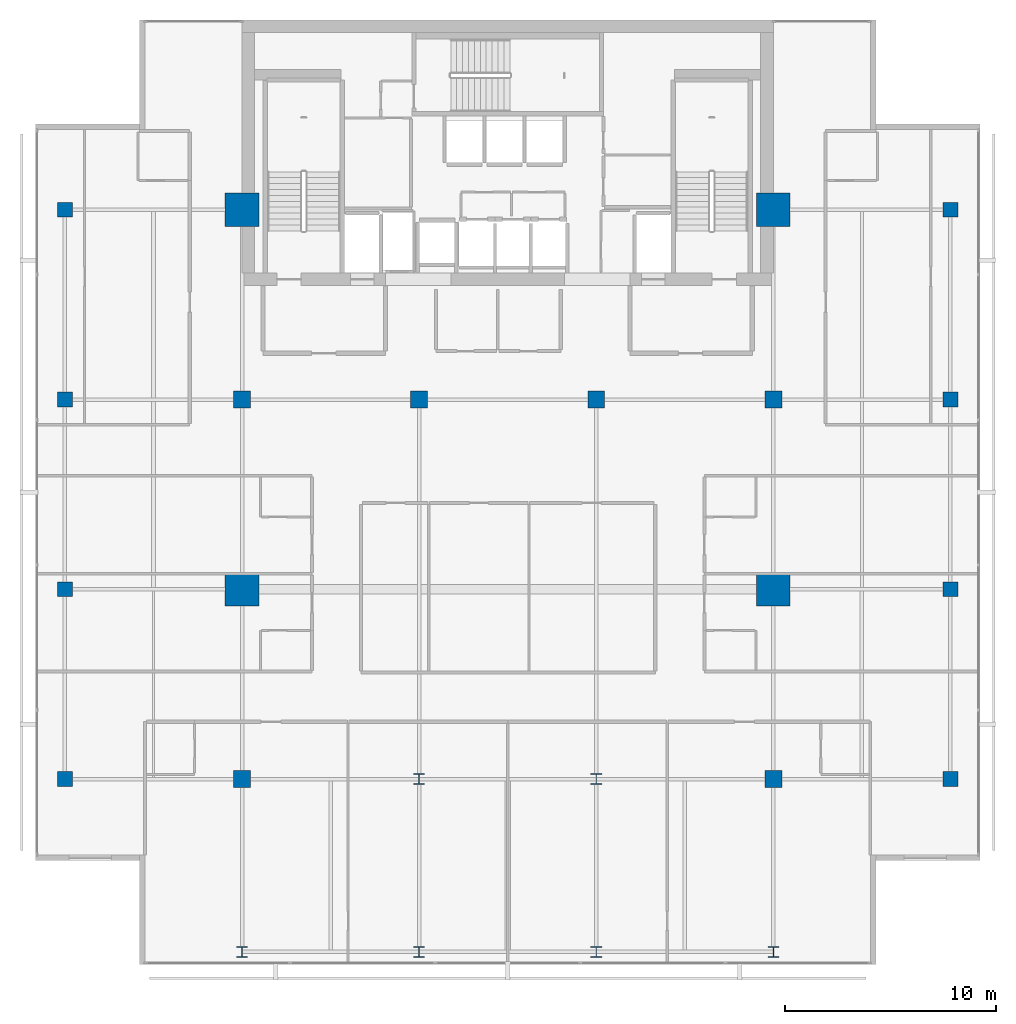
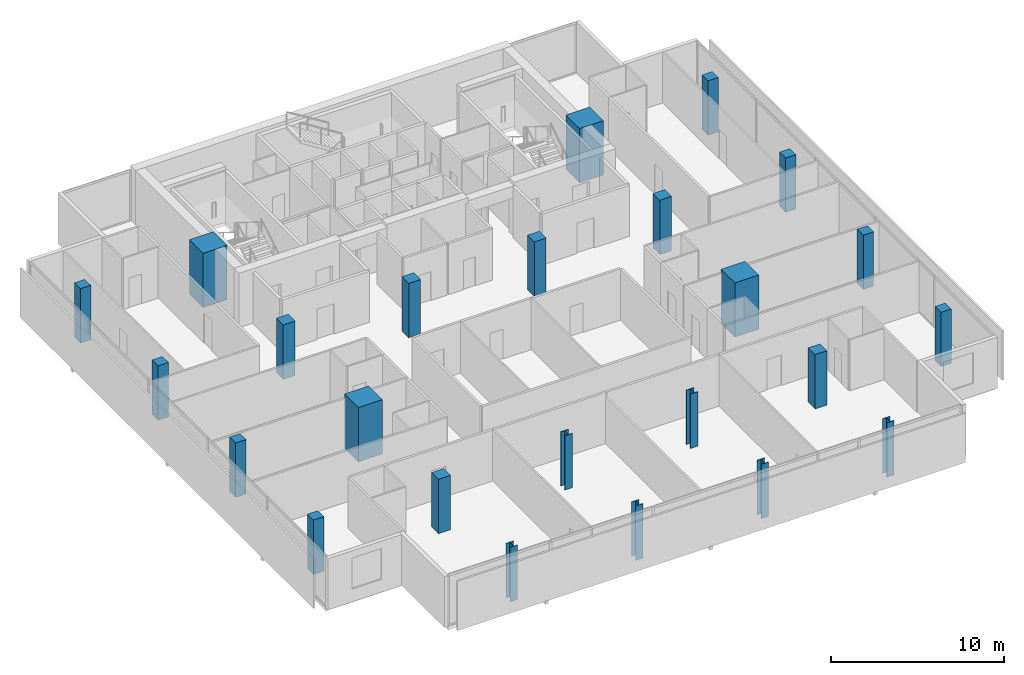
# One storey, part 1 of 25: 24 columns.
"""IFC4 building model written with IfcOpenShell, lengths in metres."""

from ifc_helpers import new_model, si_unit, direction, frame, origin, origin_2d, place, context, subcontext, project, spatial, rectangle, i_section, extrude, material, material_profile, profile_set, type_object, element, save


model = new_model("IFC4")

# Units and contexts
model_context = context("Model", 3, precision=1e-05, world=origin(), true_north=direction((0.0, 1.0)))
body_context = subcontext(model_context, "Body", "Model", "MODEL_VIEW")
ifc_project = project(units=[si_unit("LENGTHUNIT", "METRE"), si_unit("AREAUNIT", "SQUARE_METRE"), si_unit("VOLUMEUNIT", "CUBIC_METRE"), si_unit("PLANEANGLEUNIT", "RADIAN"), si_unit("MASSUNIT", "GRAM", prefix="KILO")], contexts=[model_context])

# Site, building, storey
site_placement = place(None, origin())
site = spatial("IfcSite", under=ifc_project, at=site_placement, CompositionType="ELEMENT")
building_placement = place(site_placement, origin())
building = spatial("IfcBuilding", under=site, at=building_placement, Name="Maruvema Waterfront Hotel and Observation Tower", CompositionType="ELEMENT")
storey_placement = place(building_placement, frame((0.0, 0.0, 277.89990234375)))
storey = spatial("IfcBuildingStorey", under=building, at=storey_placement, Name="L68", CompositionType="ELEMENT", Elevation=277.89990234375)

# Columns
ifc_material_1 = material(Name="Concrete C70/85", Category="concrete")
ifc_material_profile_1 = material_profile(ifc_material_1, rectangle(XDim=1.60009765625, YDim=1.60009765625, at=origin_2d()), Name="MC1600x1600")
ifc_profile_set_1 = profile_set([ifc_material_profile_1], Name="Concrete C70/85")
column_type_1 = type_object("IfcColumnType", Name="Continuous Mega-Column MC1600x1600", PredefinedType="COLUMN", material=ifc_profile_set_1)
for number, where, z_axis, x_axis, name in (
    (1, (25.199951171875, 27.0, 0.0), (0.0, 0.0, 1.0), (1.0, 0.0, 0.0), "L68 Continuous Mega-Column MC-01"),
    (2, (50.39990234375, 27.0, 0.0), (0.0, 0.0, 1.0), (1.0, 0.0, 0.0), "L68 Continuous Mega-Column MC-02"),
    (3, (25.199951171875, 45.0, 0.0), (0.0, 0.0, 1.0), (1.0, 0.0, 0.0), "L68 Continuous Mega-Column MC-03"),
    (4, (50.39990234375, 45.0, 0.0), (0.0, 0.0, 1.0), (1.0, 0.0, 0.0), "L68 Continuous Mega-Column MC-04"),
):
    element("IfcColumn", number, at=place(storey_placement, frame(where, z_axis=z_axis, x_axis=x_axis)), inside=storey, type_object=column_type_1, Name=name, PredefinedType="COLUMN", context=body_context, shape_type="SweptSolid", body=[
        extrude(rectangle(XDim=1.60009765625, YDim=1.60009765625, at=origin_2d()), origin(), (0.0, 0.0, 1.0), 3.85009765625),
    ])
ifc_material_2 = material(Name="Concrete C60/75", Category="concrete")
ifc_material_profile_2 = material_profile(ifc_material_2, rectangle(XDim=0.699951171875, YDim=0.699951171875, at=origin_2d()), Name="RC700x700")
ifc_profile_set_2 = profile_set([ifc_material_profile_2], Name="Concrete C60/75")
column_type_2 = type_object("IfcColumnType", Name="Reinforced Concrete Column RC700x700", PredefinedType="COLUMN", material=ifc_profile_set_2)
for number, where, z_axis, x_axis, name in (
    (5, (16.800048828125, 18.0, 0.0), (0.0, 0.0, 1.0), (1.0, 0.0, 0.0), "L68 Column C-3Y18"),
    (6, (58.800048828125, 18.0, 0.0), (0.0, 0.0, 1.0), (1.0, 0.0, 0.0), "L68 Column C-8Y18"),
    (7, (16.800048828125, 27.0, 0.0), (0.0, 0.0, 1.0), (1.0, 0.0, 0.0), "L68 Column C-3Y27"),
    (8, (58.800048828125, 27.0, 0.0), (0.0, 0.0, 1.0), (1.0, 0.0, 0.0), "L68 Column C-8Y27"),
    (9, (16.800048828125, 36.0, 0.0), (0.0, 0.0, 1.0), (1.0, 0.0, 0.0), "L68 Column C-3Y36"),
    (10, (58.800048828125, 36.0, 0.0), (0.0, 0.0, 1.0), (1.0, 0.0, 0.0), "L68 Column C-8Y36"),
    (11, (16.800048828125, 45.0, 0.0), (0.0, 0.0, 1.0), (1.0, 0.0, 0.0), "L68 Column C-3Y45"),
    (12, (58.800048828125, 45.0, 0.0), (0.0, 0.0, 1.0), (1.0, 0.0, 0.0), "L68 Column C-8Y45"),
):
    element("IfcColumn", number, at=place(storey_placement, frame(where, z_axis=z_axis, x_axis=x_axis)), inside=storey, type_object=column_type_2, Name=name, PredefinedType="COLUMN", context=body_context, shape_type="SweptSolid", body=[
        extrude(rectangle(XDim=0.699951171875, YDim=0.699951171875, at=origin_2d()), origin(), (0.0, 0.0, 1.0), 3.85009765625),
    ])
ifc_material_3 = material(Name="Concrete C60/75", Category="concrete")
ifc_material_profile_3 = material_profile(ifc_material_3, rectangle(XDim=0.800048828125, YDim=0.800048828125, at=origin_2d()), Name="RC800x800")
ifc_profile_set_3 = profile_set([ifc_material_profile_3], Name="Concrete C60/75")
column_type_3 = type_object("IfcColumnType", Name="Reinforced Concrete Column RC800x800", PredefinedType="COLUMN", material=ifc_profile_set_3)
for number, where, z_axis, x_axis, name in (
    (13, (25.199951171875, 36.0, 0.0), (0.0, 0.0, 1.0), (1.0, 0.0, 0.0), "L68 Column C-4E"),
    (14, (33.60009765625, 36.0, 0.0), (0.0, 0.0, 1.0), (1.0, 0.0, 0.0), "L68 Column C-5E"),
    (15, (42.0, 36.0, 0.0), (0.0, 0.0, 1.0), (1.0, 0.0, 0.0), "L68 Column C-6E"),
    (16, (50.39990234375, 36.0, 0.0), (0.0, 0.0, 1.0), (1.0, 0.0, 0.0), "L68 Column C-7E"),
    (17, (25.199951171875, 18.0, 0.0), (0.0, 0.0, 1.0), (1.0, 0.0, 0.0), "L68 Column C-4C"),
    (18, (50.39990234375, 18.0, 0.0), (0.0, 0.0, 1.0), (1.0, 0.0, 0.0), "L68 Column C-7C"),
):
    element("IfcColumn", number, at=place(storey_placement, frame(where, z_axis=z_axis, x_axis=x_axis)), inside=storey, type_object=column_type_3, Name=name, PredefinedType="COLUMN", context=body_context, shape_type="SweptSolid", body=[
        extrude(rectangle(XDim=0.800048828125, YDim=0.800048828125, at=origin_2d()), origin(), (0.0, 0.0, 1.0), 3.85009765625),
    ])
ifc_material_4 = material(Name="Steel ABNT NBR 7007 AR 415 (ASTM A572 Grade 50)", Category="steel")
ifc_material_profile_4 = material_profile(ifc_material_4, i_section(OverallWidth=0.5, OverallDepth=0.5, WebThickness=0.02197265625, FlangeThickness=0.031982421875, at=origin_2d()), Name="CVS500x223")
ifc_profile_set_4 = profile_set([ifc_material_profile_4], Name="Steel ABNT NBR 7007 AR 415 (ASTM A572 Grade 50)")
column_type_4 = type_object("IfcColumnType", Name="Structural Steel Column CVS500x223", PredefinedType="COLUMN", material=ifc_profile_set_4)
for number, where, z_axis, x_axis, name in (
    (19, (33.60009765625, 18.0, 0.0), (0.0, 0.0, 1.0), (1.0, 0.0, 0.0), "L68 Column C-5C"),
    (20, (42.0, 18.0, 0.0), (0.0, 0.0, 1.0), (1.0, 0.0, 0.0), "L68 Column C-6C"),
    (21, (25.199951171875, 9.800048828125, 0.0), (0.0, 0.0, 1.0), (1.0, 0.0, 0.0), "L68 Column C-Z3S4"),
    (22, (33.60009765625, 9.800048828125, 0.0), (0.0, 0.0, 1.0), (1.0, 0.0, 0.0), "L68 Column C-Z3S5"),
    (23, (42.0, 9.800048828125, 0.0), (0.0, 0.0, 1.0), (1.0, 0.0, 0.0), "L68 Column C-Z3S6"),
    (24, (50.39990234375, 9.800048828125, 0.0), (0.0, 0.0, 1.0), (1.0, 0.0, 0.0), "L68 Column C-Z3S7"),
):
    element("IfcColumn", number, at=place(storey_placement, frame(where, z_axis=z_axis, x_axis=x_axis)), inside=storey, type_object=column_type_4, Name=name, PredefinedType="COLUMN", context=body_context, shape_type="SweptSolid", body=[
        extrude(i_section(OverallWidth=0.5, OverallDepth=0.5, WebThickness=0.02197265625, FlangeThickness=0.031982421875, at=origin_2d()), origin(), (0.0, 0.0, 1.0), 3.85009765625),
    ])

save(model, "model.ifc")
